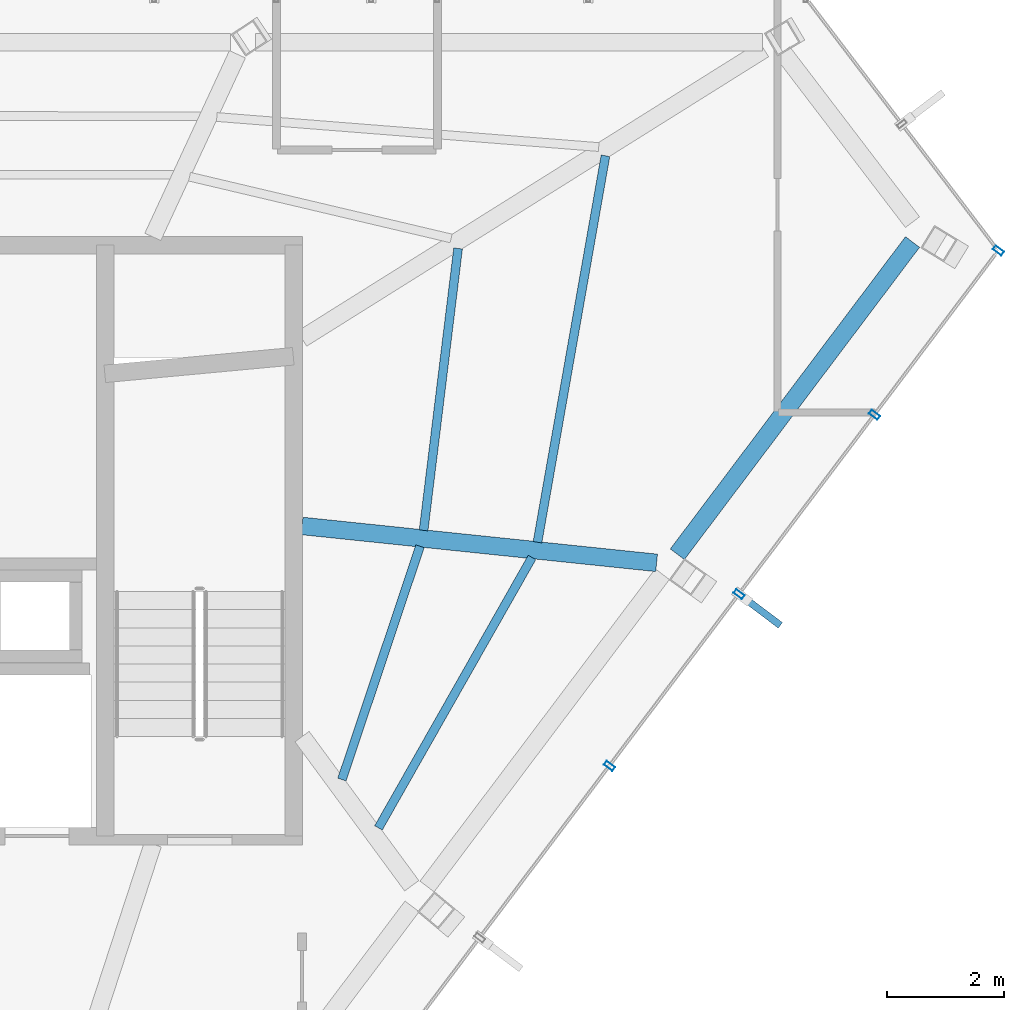
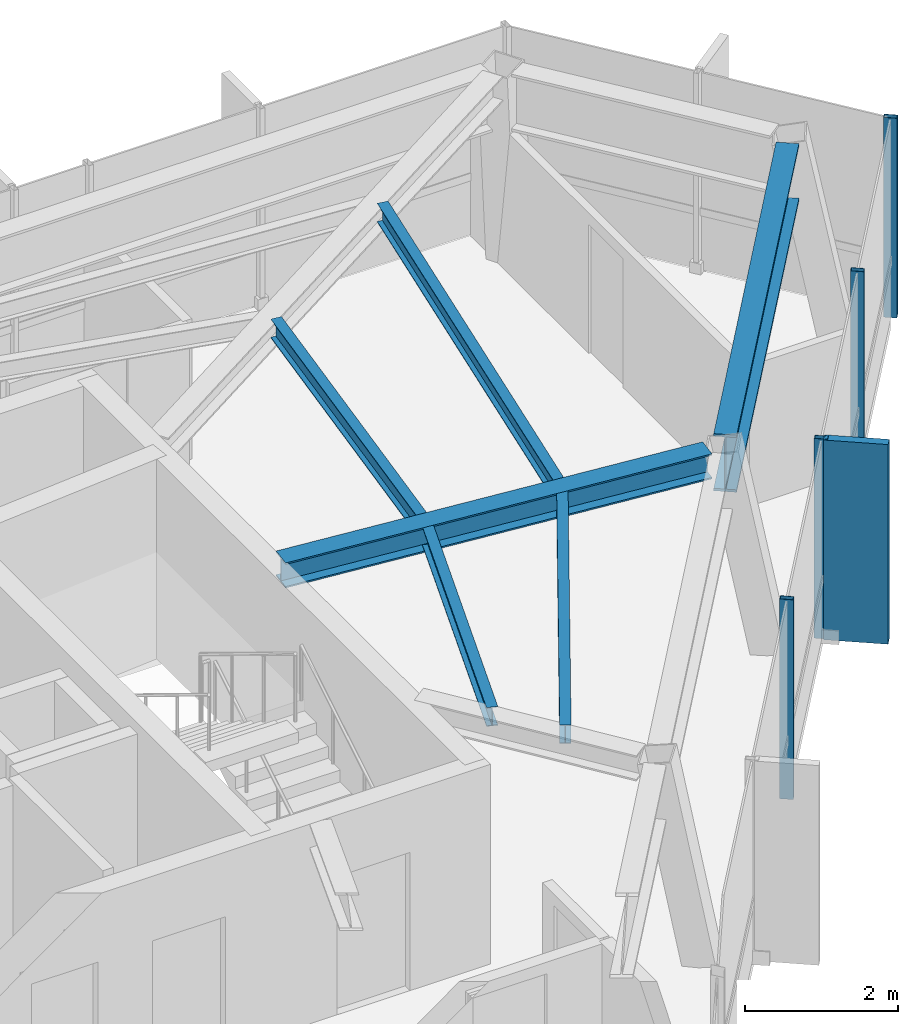
# One storey, part 15 of 21: 6 beams, 5 members, 1 element without a shape of its own.
"""IFC4 building model written with IfcOpenShell, lengths in metres."""

from ifc_helpers import new_model, si_unit, direction, frame, origin, origin_2d, place, context, subcontext, project, spatial, rectangle, hollow_rectangle, i_section, extrude, material, layer, layer_set, material_profile, profile_set, type_object, element, aggregate, save


model = new_model("IFC4")

# Units and contexts
model_context = context("Model", 3, precision=1e-05, world=origin(), true_north=direction((0.0, 1.0)))
body_context = subcontext(model_context, "Body", "Model", "MODEL_VIEW")
ifc_project = project(units=[si_unit("LENGTHUNIT", "METRE"), si_unit("AREAUNIT", "SQUARE_METRE"), si_unit("VOLUMEUNIT", "CUBIC_METRE"), si_unit("PLANEANGLEUNIT", "RADIAN"), si_unit("MASSUNIT", "GRAM", prefix="KILO")], contexts=[model_context])

# Site, building, storey
site_placement = place(None, origin())
site = spatial("IfcSite", under=ifc_project, at=site_placement, CompositionType="ELEMENT")
building_placement = place(site_placement, origin())
building = spatial("IfcBuilding", under=site, at=building_placement, Name="Zarrinselat Tower", CompositionType="ELEMENT")
storey_placement = place(building_placement, frame((0.0, 0.0, 285.60009765625)))
storey = spatial("IfcBuildingStorey", under=building, at=storey_placement, Name="L73", CompositionType="ELEMENT", Elevation=285.60009765625)

# Beams
ifc_material_1 = material(Name="Steel S355J2", Category="steel")
ifc_material_profile_1 = material_profile(ifc_material_1, i_section(OverallWidth=0.300048828125, OverallDepth=0.39990234375, WebThickness=0.013427734375, FlangeThickness=0.02392578125, at=origin_2d()), Name="HEB 400")
ifc_profile_set_1 = profile_set([ifc_material_profile_1], Name="Steel S355J2")
beam_type_1 = type_object("IfcBeamType", Name="BM-HEB400", PredefinedType="BEAM", material=ifc_profile_set_1)
beam_1_placement = place(storey_placement, frame((48.35009765625, 38.60009765625, 2.97998046875), z_axis=(0.994627954589, -0.103514404557, 0.0), x_axis=(0.103514404557, 0.994627954589, 0.0)))
element("IfcBeam", 1, at=beam_1_placement, inside=storey, type_object=beam_type_1, Name="L73 Radial Primary Girder RG14", PredefinedType="BEAM", context=body_context, shape_type="SweptSolid", body=[
    extrude(i_section(OverallWidth=0.300048828125, OverallDepth=0.39990234375, WebThickness=0.013427734375, FlangeThickness=0.02392578125, at=origin_2d()), origin(), (0.0, 0.0, 1.0), 6.092041015625),
])
ifc_material_2 = material(Name="Steel S460M", Category="steel")
ifc_material_profile_2 = material_profile(ifc_material_2, i_section(OverallWidth=0.302001953125, OverallDepth=0.909912109375, WebThickness=0.02099609375, FlangeThickness=0.0400390625, at=origin_2d()), Name="HEM 900")
ifc_profile_set_2 = profile_set([ifc_material_profile_2], Name="Steel S460M")
beam_type_2 = type_object("IfcBeamType", Name="BM-HEM900", PredefinedType="BEAM", material=ifc_profile_set_2)
beam_2_placement = place(storey_placement, frame((54.763427734375, 38.115966796875, 2.724853515625), z_axis=(0.601641502022, 0.798766238048, 0.0), x_axis=(-0.798766238048, 0.601641502022, 0.0)))
element("IfcBeam", 2, at=beam_2_placement, inside=storey, type_object=beam_type_2, Name="L73 Perimeter Spandrel Girder SP14", PredefinedType="BEAM", context=body_context, shape_type="SweptSolid", body=[
    extrude(i_section(OverallWidth=0.302001953125, OverallDepth=0.909912109375, WebThickness=0.02099609375, FlangeThickness=0.0400390625, at=origin_2d()), origin(), (0.0, 0.0, 1.0), 6.681640625),
])
ifc_material_3 = material(Name="Steel S355J2", Category="steel")
ifc_material_profile_3 = material_profile(ifc_material_3, i_section(OverallWidth=0.14990234375, OverallDepth=0.300048828125, WebThickness=0.007080078125, FlangeThickness=0.0107421875, at=origin_2d()), Name="IPE 300")
ifc_profile_set_3 = profile_set([ifc_material_profile_3], Name="Steel S355J2")
beam_type_3 = type_object("IfcBeamType", Name="BM-IPE300", PredefinedType="JOIST", material=ifc_profile_set_3)
beam_3_placement = place(storey_placement, frame((49.656005859375, 33.439697265625, 3.02978515625), z_axis=(0.493683450613, 0.869641679424, 0.0), x_axis=(-0.869641679424, 0.493683450613, 0.0)))
element("IfcBeam", 3, at=beam_3_placement, inside=storey, type_object=beam_type_3, Name="L73 Composite Floor Joist 4-1", PredefinedType="JOIST", context=body_context, shape_type="SweptSolid", body=[
    extrude(i_section(OverallWidth=0.14990234375, OverallDepth=0.300048828125, WebThickness=0.007080078125, FlangeThickness=0.0107421875, at=origin_2d()), origin(), (0.0, 0.0, 1.0), 5.315185546875),
])
beam_4_placement = place(storey_placement, frame((49.031494140625, 34.266357421875, 3.02978515625), z_axis=(0.31739488933, 0.948293458918, 0.0), x_axis=(-0.948293458918, 0.31739488933, 0.0)))
element("IfcBeam", 4, at=beam_4_placement, inside=storey, type_object=beam_type_3, Name="L73 Composite Floor Joist 4-2", PredefinedType="JOIST", context=body_context, shape_type="SweptSolid", body=[
    extrude(i_section(OverallWidth=0.14990234375, OverallDepth=0.300048828125, WebThickness=0.007080078125, FlangeThickness=0.0107421875, at=origin_2d()), origin(), (0.0, 0.0, 1.0), 4.20361328125),
])
beam_5_placement = place(storey_placement, frame((52.37353515625, 38.32177734375, 3.02978515625), z_axis=(0.173253642089, 0.984877238798, 0.0), x_axis=(-0.984877238798, 0.173253642089, 0.0)))
element("IfcBeam", 5, at=beam_5_placement, inside=storey, type_object=beam_type_3, Name="L73 Composite Floor Joist 5-1", PredefinedType="JOIST", context=body_context, shape_type="SweptSolid", body=[
    extrude(i_section(OverallWidth=0.14990234375, OverallDepth=0.300048828125, WebThickness=0.007080078125, FlangeThickness=0.0107421875, at=origin_2d()), origin(), (0.0, 0.0, 1.0), 6.7060546875),
])
beam_6_placement = place(storey_placement, frame((50.42724609375, 38.524658203125, 3.02978515625), z_axis=(0.121415788732, 0.992601735968, 0.0), x_axis=(-0.992601735968, 0.121415788732, 0.0)))
element("IfcBeam", 6, at=beam_6_placement, inside=storey, type_object=beam_type_3, Name="L73 Composite Floor Joist 5-2", PredefinedType="JOIST", context=body_context, shape_type="SweptSolid", body=[
    extrude(i_section(OverallWidth=0.14990234375, OverallDepth=0.300048828125, WebThickness=0.007080078125, FlangeThickness=0.0107421875, at=origin_2d()), origin(), (0.0, 0.0, 1.0), 4.85400390625),
])

# Curtain wall, members
ifc_material_4 = material(Name="Extruded Aluminium Alloy EN AW-6063 T6", Category="aluminium")
ifc_layer = layer(ifc_material_4, 0.199951171875)
ifc_layer_set = layer_set([ifc_layer], Name="Extruded Aluminium Alloy EN AW-6063 T6")
curtain_wall_type = type_object("IfcCurtainWallType", Name="CWS-BLADE", PredefinedType="NOTDEFINED", material=ifc_layer_set)
curtain_wall_placement = place(storey_placement, origin())
curtain_wall = element("IfcCurtainWall", 7, at=curtain_wall_placement, inside=storey, type_object=curtain_wall_type, Name="L73 Unitised Curtain Wall CW-L73-E05", PredefinedType="NOTDEFINED")
ifc_material_5 = material(Name="Extruded Aluminium Alloy EN AW-6063 T6", Category="aluminium")
ifc_material_profile_4 = material_profile(ifc_material_5, hollow_rectangle(XDim=0.080078125, YDim=0.179931640625, WallThickness=0.0048828125, at=origin_2d()), Name="RHS 180x80x5")
ifc_profile_set_4 = profile_set([ifc_material_profile_4], Name="Extruded Aluminium Alloy EN AW-6063 T6")
member_type_1 = type_object("IfcMemberType", Name="MEM-CW-MUL", PredefinedType="MULLION", material=ifc_profile_set_4)
member_1_placement = place(storey_placement, frame((53.6025390625, 34.498291015625, 0.0), z_axis=(0.0, 0.0, 1.0), x_axis=(0.602445101176, 0.798160322284, 0.0)))
member_1 = element("IfcMember", 8, at=member_1_placement, type_object=member_type_1, Name="CW-L73-E05 Mullion 6", PredefinedType="MULLION", context=body_context, shape_type="SweptSolid", body=[
    extrude(hollow_rectangle(XDim=0.080078125, YDim=0.179931640625, WallThickness=0.0048828125, at=origin_2d()), origin(), (0.0, 0.0, 1.0), 3.179931640625),
])
member_2_placement = place(storey_placement, frame((55.818359375, 37.43408203125, 0.0), z_axis=(0.0, 0.0, 1.0), x_axis=(0.602445101176, 0.798160322284, 0.0)))
member_2 = element("IfcMember", 9, at=member_2_placement, type_object=member_type_1, Name="CW-L73-E05 Mullion 7", PredefinedType="MULLION", context=body_context, shape_type="SweptSolid", body=[
    extrude(hollow_rectangle(XDim=0.080078125, YDim=0.179931640625, WallThickness=0.0048828125, at=origin_2d()), origin(), (0.0, 0.0, 1.0), 3.179931640625),
])
member_3_placement = place(storey_placement, frame((58.1318359375, 40.4990234375, 0.0), z_axis=(0.0, 0.0, 1.0), x_axis=(0.602445101176, 0.798160322284, 0.0)))
member_3 = element("IfcMember", 10, at=member_3_placement, type_object=member_type_1, Name="CW-L73-E05 Mullion 8", PredefinedType="MULLION", context=body_context, shape_type="SweptSolid", body=[
    extrude(hollow_rectangle(XDim=0.080078125, YDim=0.179931640625, WallThickness=0.0048828125, at=origin_2d()), origin(), (0.0, 0.0, 1.0), 3.179931640625),
])
member_4_placement = place(storey_placement, frame((60.250244140625, 43.3056640625, 0.0), z_axis=(0.0, 0.0, 1.0), x_axis=(0.602445101176, 0.798160322284, 0.0)))
member_4 = element("IfcMember", 11, at=member_4_placement, type_object=member_type_1, Name="CW-L73-E05 Mullion 9", PredefinedType="MULLION", context=body_context, shape_type="SweptSolid", body=[
    extrude(hollow_rectangle(XDim=0.080078125, YDim=0.179931640625, WallThickness=0.0048828125, at=origin_2d()), origin(), (0.0, 0.0, 1.0), 3.179931640625),
])
ifc_material_6 = material(Name="Honed Cream Travertine Stone", Category="masonry")
ifc_material_profile_5 = material_profile(ifc_material_6, rectangle(XDim=0.1201171875, YDim=0.85009765625, at=origin_2d()), Name="FIN 850x120")
ifc_profile_set_5 = profile_set([ifc_material_profile_5], Name="Honed Cream Travertine Stone")
member_type_2 = type_object("IfcMemberType", Name="MEM-STONE-FIN", PredefinedType="USERDEFINED", material=ifc_profile_set_5)
member_5_placement = place(storey_placement, frame((56.185546875, 37.156982421875, 0.0), z_axis=(0.0, 0.0, 1.0), x_axis=(-0.602445101176, -0.798160322284, 0.0)))
member_5 = element("IfcMember", 12, at=member_5_placement, type_object=member_type_2, Name="L73 Stone Shading Fin CW-L73-E05-07", ObjectType="FIN", PredefinedType="USERDEFINED", context=body_context, shape_type="SweptSolid", body=[
    extrude(rectangle(XDim=0.1201171875, YDim=0.85009765625, at=origin_2d()), origin(), (0.0, 0.0, 1.0), 3.179931640625),
])
aggregate(curtain_wall, [member_1, member_2, member_5, member_3, member_4])

save(model, "model.ifc")
